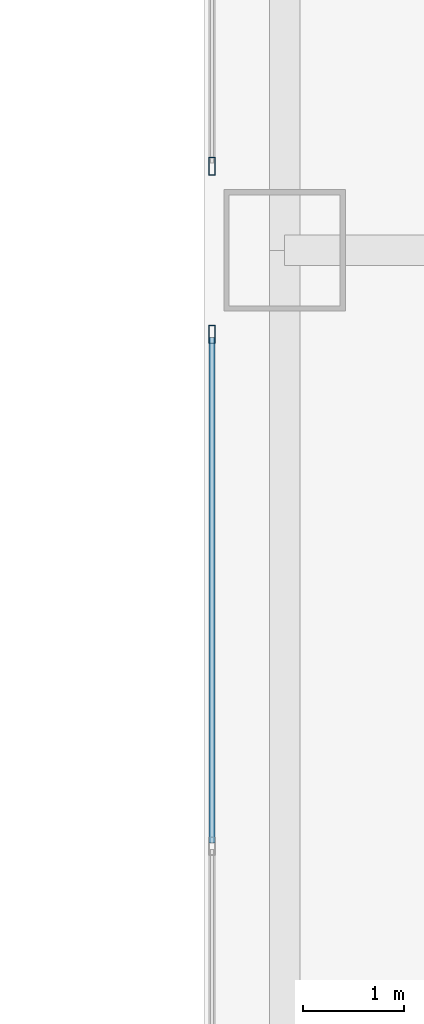
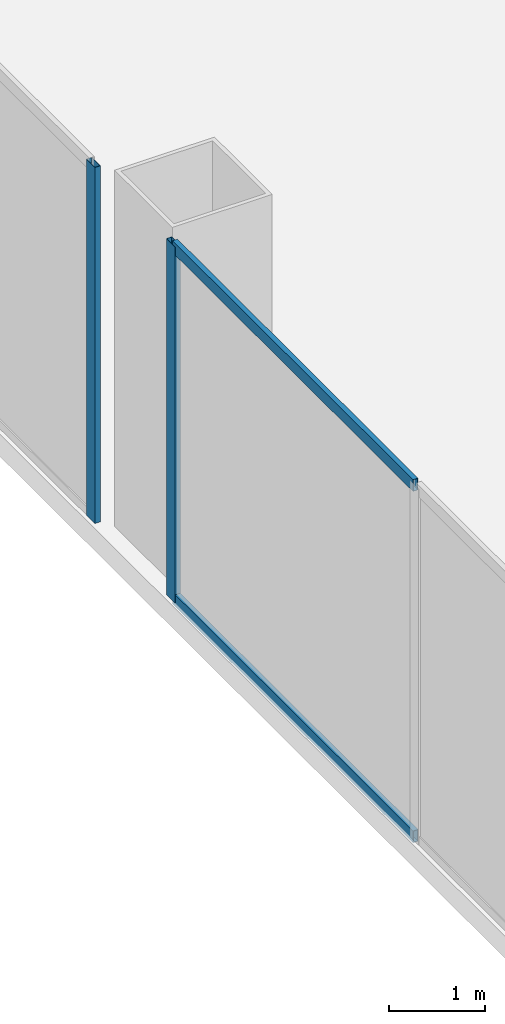
# One storey, part 15 of 58: 4 members, 2 elements without a shape of their own.
"""IFC4 building model written with IfcOpenShell, lengths in metres."""

from ifc_helpers import new_model, si_unit, direction, frame, origin, origin_2d, place, context, subcontext, project, spatial, hollow_rectangle, extrude, source, transform, mapped, material, layer, layer_set, material_profile, profile_set, type_object, element, aggregate, save


model = new_model("IFC4")

# Units and contexts
model_context = context("Model", 3, precision=1e-05, world=origin(), true_north=direction((0.0, 1.0)))
body_context = subcontext(model_context, "Body", "Model", "MODEL_VIEW")
ifc_project = project(units=[si_unit("LENGTHUNIT", "METRE"), si_unit("AREAUNIT", "SQUARE_METRE"), si_unit("VOLUMEUNIT", "CUBIC_METRE"), si_unit("PLANEANGLEUNIT", "RADIAN"), si_unit("MASSUNIT", "GRAM", prefix="KILO"), si_unit("THERMODYNAMICTEMPERATUREUNIT", "KELVIN"), si_unit("POWERUNIT", "WATT")], contexts=[model_context])

# Site, building, storey
site_placement = place(None, origin())
site = spatial("IfcSite", under=ifc_project, at=site_placement, CompositionType="ELEMENT")
building_placement = place(site_placement, origin())
building = spatial("IfcBuilding", under=site, at=building_placement, Name="Yunzhuo Pagoda Commons", CompositionType="ELEMENT")
storey_placement = place(building_placement, origin())
storey = spatial("IfcBuildingStorey", under=building, at=storey_placement, Name="L01", CompositionType="ELEMENT", Elevation=0.0)

# Curtain wall, member
ifc_material = material(Name="Anodized aluminium 6063-T6", Category="aluminium")
ifc_layer = layer(ifc_material, 0.179931640625)
ifc_layer_set = layer_set([ifc_layer], Name="Anodized aluminium 6063-T6")
curtain_wall_type = type_object("IfcCurtainWallType", Name="CW-POD Waterfront Podium Curtain Wall", PredefinedType="NOTDEFINED", material=ifc_layer_set)
curtain_wall_1_placement = place(storey_placement, origin())
curtain_wall_1 = element("IfcCurtainWall", 1, at=curtain_wall_1_placement, inside=storey, type_object=curtain_wall_type, Name="L01 curtain wall CW-L01-W3", PredefinedType="NOTDEFINED")
ifc_material_profile_1 = material_profile(ifc_material, hollow_rectangle(XDim=0.06494140625, YDim=0.179931640625, WallThickness=0.00390625, at=origin_2d()), Name="Anodized aluminium 6063-T6")
ifc_profile_set_1 = profile_set([ifc_material_profile_1], Name="Anodized aluminium 6063-T6")
member_type_1 = type_object("IfcMemberType", Name="CW-POD-M Mullion RHS 180x65x4", PredefinedType="MULLION", material=ifc_profile_set_1)
shared_shape_1 = source(origin(), body_context, "Body", "SweptSolid", [
    extrude(hollow_rectangle(XDim=0.06494140625, YDim=0.179931640625, WallThickness=0.00390625, at=origin_2d()), origin(), (0.0, 0.0, 1.0), 4.520263671875),
])
member_1_placement = place(storey_placement, frame((4.080078125, 61.167724609375, 0.0), z_axis=(0.0, 0.0, 1.0), x_axis=(-1.0, 0.0, 0.0)))
member_1 = element("IfcMember", 2, at=member_1_placement, type_object=member_type_1, Name="CW mullion 3", PredefinedType="MULLION", context=body_context, shape_type="MappedRepresentation", body=[
    mapped(shared_shape_1, transform((0.0, 0.0, 0.0), scale=1.0)),
])

curtain_wall_2_placement = place(storey_placement, origin())
curtain_wall_2 = element("IfcCurtainWall", 3, at=curtain_wall_2_placement, inside=storey, type_object=curtain_wall_type, Name="L01 curtain wall CW-L01-W4", PredefinedType="NOTDEFINED")
member_2_placement = place(storey_placement, frame((4.080078125, 62.832763671875, 0.0), z_axis=(0.0, 0.0, 1.0), x_axis=(-1.0, 0.0, 0.0)))
member_2 = element("IfcMember", 4, at=member_2_placement, type_object=member_type_1, Name="CW mullion 1", PredefinedType="MULLION", context=body_context, shape_type="MappedRepresentation", body=[
    mapped(shared_shape_1, transform((0.0, 0.0, 0.0), scale=1.0)),
])
aggregate(curtain_wall_2, [member_2])

# Member
ifc_material_profile_2 = material_profile(ifc_material, hollow_rectangle(XDim=0.06005859375, YDim=0.14990234375, WallThickness=0.00390625, at=origin_2d()), Name="Anodized aluminium 6063-T6")
ifc_profile_set_2 = profile_set([ifc_material_profile_2], Name="Anodized aluminium 6063-T6")
member_type_2 = type_object("IfcMemberType", Name="CW-POD-T Transom RHS 150x60x4", PredefinedType="USERDEFINED", material=ifc_profile_set_2)
shared_shape_2 = source(origin(), body_context, "Body", "SweptSolid", [
    extrude(hollow_rectangle(XDim=0.06005859375, YDim=0.14990234375, WallThickness=0.00390625, at=origin_2d()), origin(), (0.0, 0.0, 1.0), 5.00244140625),
])
member_3_placement = place(storey_placement, frame((4.080078125, 56.132568359375, 0.030029296875), z_axis=(0.0, 1.0, 0.0), x_axis=(-1.0, 0.0, 0.0)))
member_3 = element("IfcMember", 5, at=member_3_placement, type_object=member_type_2, Name="CW transom 2.1", ObjectType="TRANSOM", PredefinedType="USERDEFINED", context=body_context, shape_type="MappedRepresentation", body=[
    mapped(shared_shape_2, transform((0.0, 0.0, 0.0), scale=1.0)),
])

member_4_placement = place(storey_placement, frame((4.080078125, 56.132568359375, 4.489990234375), z_axis=(0.0, 1.0, 0.0), x_axis=(-1.0, 0.0, 0.0)))
member_4 = element("IfcMember", 6, at=member_4_placement, type_object=member_type_2, Name="CW transom 2.2", ObjectType="TRANSOM", PredefinedType="USERDEFINED", context=body_context, shape_type="MappedRepresentation", body=[
    mapped(shared_shape_2, transform((0.0, 0.0, 0.0), scale=1.0)),
])

aggregate(curtain_wall_1, [member_1, member_3, member_4])

save(model, "model.ifc")
